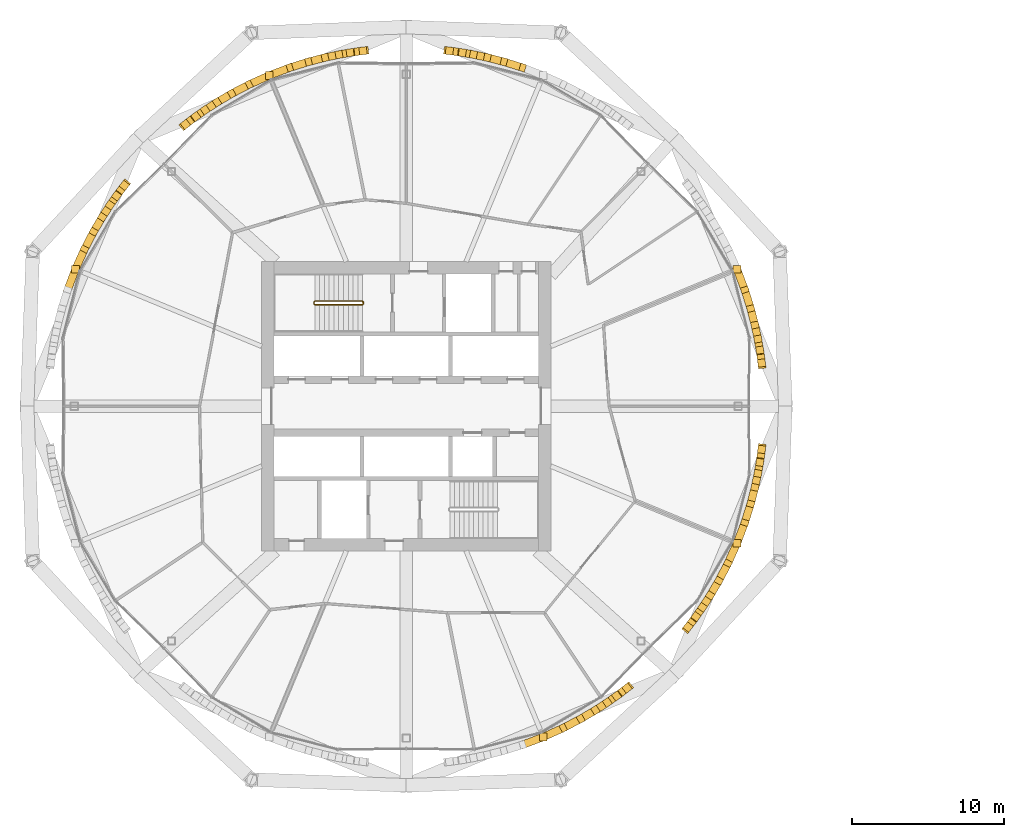
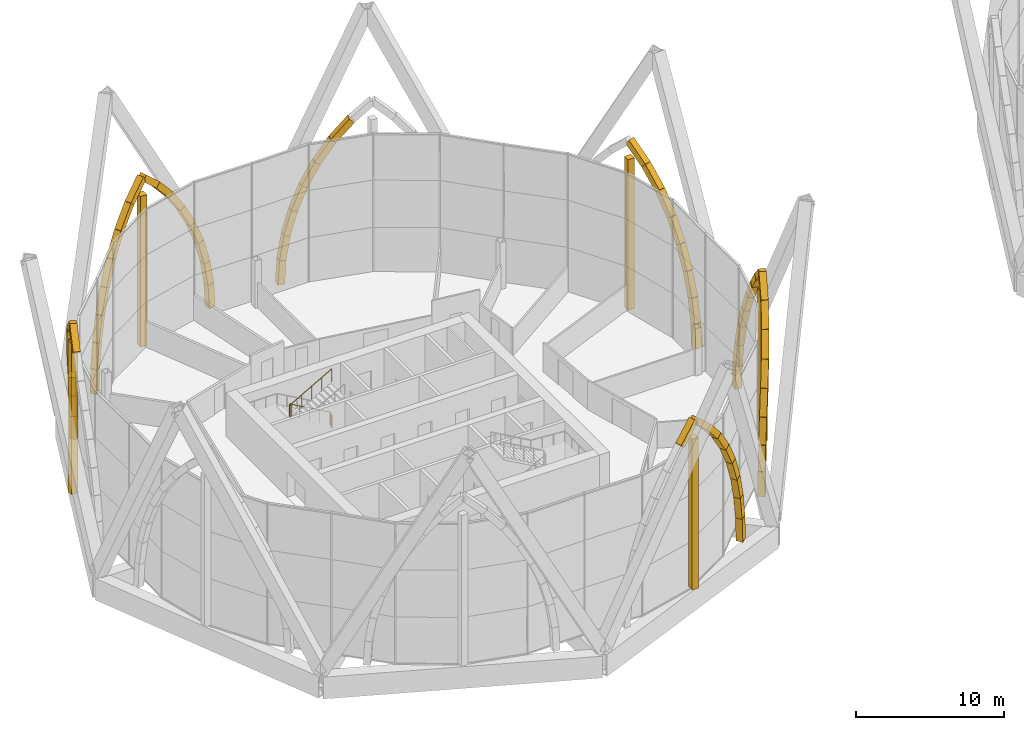
# One storey, part 34 of 37: 70 coverings, 1 railing.
"""IFC4 building model written with IfcOpenShell, lengths in metres."""

from ifc_helpers import new_model, si_unit, direction, frame, origin, origin_2d, place, context, subcontext, project, spatial, rectangle, circle, extrude, material, material_profile, profile_set, type_object, element, save


model = new_model("IFC4")

# Units and contexts
model_context = context("Model", 3, precision=1e-05, world=origin(), true_north=direction((0.0, 1.0)))
body_context = subcontext(model_context, "Body", "Model", "MODEL_VIEW")
ifc_project = project(units=[si_unit("LENGTHUNIT", "METRE"), si_unit("AREAUNIT", "SQUARE_METRE"), si_unit("VOLUMEUNIT", "CUBIC_METRE"), si_unit("PLANEANGLEUNIT", "RADIAN"), si_unit("MASSUNIT", "GRAM", prefix="KILO")], contexts=[model_context])

# Site, building, storey
site_placement = place(None, origin())
site = spatial("IfcSite", under=ifc_project, at=site_placement, CompositionType="ELEMENT")
building_placement = place(site_placement, origin())
building = spatial("IfcBuilding", under=site, at=building_placement, Name="Ogive Gate Towers", CompositionType="ELEMENT")
storey_placement = place(building_placement, frame((0.0, 0.0, 32.39990234375)))
storey = spatial("IfcBuildingStorey", under=building, at=storey_placement, Name="L06", CompositionType="ELEMENT", Elevation=32.39990234375)

# Coverings
ifc_material_1 = material(Name="Cast stone", Category="masonry")
ifc_material_profile = material_profile(ifc_material_1, rectangle(XDim=0.5, YDim=0.5, at=origin_2d()), Name="500 x 500 cast stone")
ifc_profile_set = profile_set([ifc_material_profile], Name="Cast stone")
covering_type = type_object("IfcCoveringType", Name="Portal rib 500 x 500", PredefinedType="CLADDING", material=ifc_profile_set)
covering_1_placement = place(storey_placement, frame((-12.637939453125, 2.73046875, 0.0), z_axis=(-0.006554413954, 0.054414002638, 0.998496948405), x_axis=(-0.992823353566, -0.11959008577, 0.0)))
element("IfcCovering", 1, at=covering_1_placement, inside=storey, type_object=covering_type, Name="Portal rib", PredefinedType="CLADDING", context=body_context, shape_type="SweptSolid", body=[
    extrude(rectangle(XDim=0.5, YDim=0.5, at=origin_2d()), origin(), (0.0, 0.0, 1.0), 1.97412109375),
])
covering_2_placement = place(storey_placement, frame((-12.65087890625, 2.837890625, 1.97119140625), z_axis=(-0.020781093371, 0.162537837441, 0.98648345022), x_axis=(-0.991925551192, -0.126821531659, 0.0)))
element("IfcCovering", 2, at=covering_2_placement, inside=storey, type_object=covering_type, Name="Portal rib", PredefinedType="CLADDING", context=body_context, shape_type="SweptSolid", body=[
    extrude(rectangle(XDim=0.5, YDim=0.5, at=origin_2d()), origin(), (0.0, 0.0, 1.0), 1.9736328125),
])
covering_3_placement = place(storey_placement, frame((-12.69189453125, 3.15869140625, 3.918212890625), z_axis=(-0.039572894123, 0.267982692392, 0.962610649551), x_axis=(-0.989271984598, -0.146085387666, 0.0)))
element("IfcCovering", 3, at=covering_3_placement, inside=storey, type_object=covering_type, Name="Portal rib", PredefinedType="CLADDING", context=body_context, shape_type="SweptSolid", body=[
    extrude(rectangle(XDim=0.5, YDim=0.5, at=origin_2d()), origin(), (0.0, 0.0, 1.0), 1.97412109375),
])
for number, where, z_axis, x_axis, name in (
    (4, (-12.77001953125, 3.687744140625, 5.818603515625), (-0.064444008374, 0.368975963491, 0.927202085929), (-0.98508788793, -0.172051890584, 0.0), "Portal rib"),
    (5, (-12.897216796875, 4.416015625, 7.648681640625), (-0.09820777756, 0.463703977422, 0.880530438855), (-0.978299886557, -0.2071939477, 0.0), "Portal rib"),
    (6, (-13.091064453125, 5.331298828125, 9.38671875), (-0.141737011266, 0.549385518361, 0.823459878714), (-0.968294335016, -0.249812090934, 0.0), "Portal rib"),
):
    element("IfcCovering", number, at=place(storey_placement, frame(where, z_axis=z_axis, x_axis=x_axis)), inside=storey, type_object=covering_type, Name=name, PredefinedType="CLADDING", context=body_context, shape_type="SweptSolid", body=[
        extrude(rectangle(XDim=0.5, YDim=0.5, at=origin_2d()), origin(), (0.0, 0.0, 1.0), 1.973876953125),
    ])
covering_4_placement = place(storey_placement, frame((-13.370849609375, 6.415771484375, 11.01220703125), z_axis=(-0.19568790465, 0.624296368375, 0.756280561966), x_axis=(-0.954220576265, -0.299103814474, 0.0)))
element("IfcCovering", 7, at=covering_4_placement, inside=storey, type_object=covering_type, Name="Portal rib", PredefinedType="CLADDING", context=body_context, shape_type="SweptSolid", body=[
    extrude(rectangle(XDim=0.5, YDim=0.5, at=origin_2d()), origin(), (0.0, 0.0, 1.0), 1.9736328125),
])
covering_5_placement = place(storey_placement, frame((-13.757080078125, 7.64794921875, 12.5048828125), z_axis=(-0.259496403368, 0.685599887448, 0.680157636853), x_axis=(-0.935250027607, -0.353987832928, 0.0)))
element("IfcCovering", 8, at=covering_5_placement, inside=storey, type_object=covering_type, Name="Portal rib", PredefinedType="CLADDING", context=body_context, shape_type="SweptSolid", body=[
    extrude(rectangle(XDim=0.5, YDim=0.5, at=origin_2d()), origin(), (0.0, 0.0, 1.0), 1.973876953125),
])
covering_6_placement = place(storey_placement, frame((-14.269287109375, 9.001220703125, 0.0), z_axis=(0.0, 0.0, 1.0), x_axis=(1.0, 0.0, 0.0)))
element("IfcCovering", 9, at=covering_6_placement, inside=storey, type_object=covering_type, Name="Portal mullion", PredefinedType="CLADDING", context=body_context, shape_type="SweptSolid", body=[
    extrude(rectangle(XDim=0.5, YDim=0.5, at=origin_2d()), origin(), (0.0, 0.0, 1.0), 12.447509765625),
])
covering_7_placement = place(storey_placement, frame((-33.26953125, 23.362060546875, 0.0), z_axis=(0.054414002638, -0.006554413954, 0.998496948405), x_axis=(0.11959008577, 0.992823353566, 0.0)))
element("IfcCovering", 10, at=covering_7_placement, inside=storey, type_object=covering_type, Name="Portal rib", PredefinedType="CLADDING", context=body_context, shape_type="SweptSolid", body=[
    extrude(rectangle(XDim=0.5, YDim=0.5, at=origin_2d()), origin(), (0.0, 0.0, 1.0), 1.97412109375),
])
covering_8_placement = place(storey_placement, frame((-33.162109375, 23.34912109375, 1.97119140625), z_axis=(0.162537837441, -0.020781093371, 0.98648345022), x_axis=(0.126821531659, 0.991925551192, 0.0)))
element("IfcCovering", 11, at=covering_8_placement, inside=storey, type_object=covering_type, Name="Portal rib", PredefinedType="CLADDING", context=body_context, shape_type="SweptSolid", body=[
    extrude(rectangle(XDim=0.5, YDim=0.5, at=origin_2d()), origin(), (0.0, 0.0, 1.0), 1.9736328125),
])
covering_9_placement = place(storey_placement, frame((-32.84130859375, 23.30810546875, 3.918212890625), z_axis=(0.267982692392, -0.039572894123, 0.962610649551), x_axis=(0.146085387666, 0.989271984598, 0.0)))
element("IfcCovering", 12, at=covering_9_placement, inside=storey, type_object=covering_type, Name="Portal rib", PredefinedType="CLADDING", context=body_context, shape_type="SweptSolid", body=[
    extrude(rectangle(XDim=0.5, YDim=0.5, at=origin_2d()), origin(), (0.0, 0.0, 1.0), 1.97412109375),
])
for number, where, z_axis, x_axis, name in (
    (13, (-32.312255859375, 23.22998046875, 5.818603515625), (0.368975963491, -0.064444008374, 0.927202085929), (0.172051890584, 0.98508788793, 0.0), "Portal rib"),
    (14, (-31.583984375, 23.102783203125, 7.648681640625), (0.463703977422, -0.09820777756, 0.880530438855), (0.2071939477, 0.978299886557, 0.0), "Portal rib"),
    (15, (-30.668701171875, 22.908935546875, 9.38671875), (0.549385518361, -0.141737011266, 0.823459878714), (0.249812090934, 0.968294335016, 0.0), "Portal rib"),
):
    element("IfcCovering", number, at=place(storey_placement, frame(where, z_axis=z_axis, x_axis=x_axis)), inside=storey, type_object=covering_type, Name=name, PredefinedType="CLADDING", context=body_context, shape_type="SweptSolid", body=[
        extrude(rectangle(XDim=0.5, YDim=0.5, at=origin_2d()), origin(), (0.0, 0.0, 1.0), 1.973876953125),
    ])
covering_10_placement = place(storey_placement, frame((-29.584228515625, 22.629150390625, 11.01220703125), z_axis=(0.624296368375, -0.19568790465, 0.756280561966), x_axis=(0.299103814474, 0.954220576265, 0.0)))
element("IfcCovering", 16, at=covering_10_placement, inside=storey, type_object=covering_type, Name="Portal rib", PredefinedType="CLADDING", context=body_context, shape_type="SweptSolid", body=[
    extrude(rectangle(XDim=0.5, YDim=0.5, at=origin_2d()), origin(), (0.0, 0.0, 1.0), 1.9736328125),
])
covering_11_placement = place(storey_placement, frame((-50.588623046875, 18.4501953125, 0.0), z_axis=(0.043036604722, 0.033885142799, 0.99849869692), x_axis=(-0.61861891897, 0.785691181758, 0.0)))
element("IfcCovering", 17, at=covering_11_placement, inside=storey, type_object=covering_type, Name="Portal rib", PredefinedType="CLADDING", context=body_context, shape_type="SweptSolid", body=[
    extrude(rectangle(XDim=0.5, YDim=0.5, at=origin_2d()), origin(), (0.0, 0.0, 1.0), 1.97412109375),
])
covering_12_placement = place(storey_placement, frame((-50.503662109375, 18.51708984375, 1.97119140625), z_axis=(0.129756467872, 0.100193268805, 0.98647076385), x_axis=(-0.611168297142, 0.791500671237, 0.0)))
element("IfcCovering", 18, at=covering_12_placement, inside=storey, type_object=covering_type, Name="Portal rib", PredefinedType="CLADDING", context=body_context, shape_type="SweptSolid", body=[
    extrude(rectangle(XDim=0.5, YDim=0.5, at=origin_2d()), origin(), (0.0, 0.0, 1.0), 1.9736328125),
])
covering_13_placement = place(storey_placement, frame((-50.24755859375, 18.71484375, 3.918212890625), z_axis=(0.217289233117, 0.161513795362, 0.962651901301), x_axis=(-0.596559455946, 0.802568885219, 0.0)))
element("IfcCovering", 19, at=covering_13_placement, inside=storey, type_object=covering_type, Name="Portal rib", PredefinedType="CLADDING", context=body_context, shape_type="SweptSolid", body=[
    extrude(rectangle(XDim=0.5, YDim=0.5, at=origin_2d()), origin(), (0.0, 0.0, 1.0), 1.97412109375),
])
for number, where, z_axis, x_axis, name in (
    (20, (-49.818603515625, 19.03369140625, 5.818603515625), (0.306618803595, 0.215338175498, 0.927153913574), (-0.574724506526, 0.818346956736, 0.0), "Portal rib"),
    (21, (-49.21337890625, 19.458740234375, 7.648681640625), (0.397297750571, 0.258391967915, 0.880561234843), (-0.545208499274, 0.838300478539, 0.0), "Portal rib"),
    (22, (-48.42919921875, 19.96875, 9.38671875), (0.488661436996, 0.288299116588, 0.82346440079), (-0.508134308768, 0.861277843819, 0.0), "Portal rib"),
):
    element("IfcCovering", number, at=place(storey_placement, frame(where, z_axis=z_axis, x_axis=x_axis)), inside=storey, type_object=covering_type, Name=name, PredefinedType="CLADDING", context=body_context, shape_type="SweptSolid", body=[
        extrude(rectangle(XDim=0.5, YDim=0.5, at=origin_2d()), origin(), (0.0, 0.0, 1.0), 1.973876953125),
    ])
covering_14_placement = place(storey_placement, frame((-47.464599609375, 20.537841796875, 11.01220703125), z_axis=(0.57978541975, 0.303066839852, 0.75630639137), x_axis=(-0.463250834246, 0.886227208209, 0.0)))
element("IfcCovering", 23, at=covering_14_placement, inside=storey, type_object=covering_type, Name="Portal rib", PredefinedType="CLADDING", context=body_context, shape_type="SweptSolid", body=[
    extrude(rectangle(XDim=0.5, YDim=0.5, at=origin_2d()), origin(), (0.0, 0.0, 1.0), 1.9736328125),
])
covering_15_placement = place(storey_placement, frame((-46.3203125, 21.135986328125, 12.5048828125), z_axis=(0.668283369737, 0.301302663091, 0.680157366312), x_axis=(-0.411017027046, 0.911627667131, 0.0)))
element("IfcCovering", 24, at=covering_15_placement, inside=storey, type_object=covering_type, Name="Portal rib", PredefinedType="CLADDING", context=body_context, shape_type="SweptSolid", body=[
    extrude(rectangle(XDim=0.5, YDim=0.5, at=origin_2d()), origin(), (0.0, 0.0, 1.0), 1.973876953125),
])
covering_16_placement = place(storey_placement, frame((-38.73046875, 23.362060546875, 0.0), z_axis=(-0.054414002638, -0.006554413954, 0.998496948405), x_axis=(0.11959008577, -0.992823353566, 0.0)))
element("IfcCovering", 25, at=covering_16_placement, inside=storey, type_object=covering_type, Name="Portal rib", PredefinedType="CLADDING", context=body_context, shape_type="SweptSolid", body=[
    extrude(rectangle(XDim=0.5, YDim=0.5, at=origin_2d()), origin(), (0.0, 0.0, 1.0), 1.97412109375),
])
covering_17_placement = place(storey_placement, frame((-38.837890625, 23.34912109375, 1.97119140625), z_axis=(-0.162537837441, -0.020781093371, 0.98648345022), x_axis=(0.126821531659, -0.991925551192, 0.0)))
element("IfcCovering", 26, at=covering_17_placement, inside=storey, type_object=covering_type, Name="Portal rib", PredefinedType="CLADDING", context=body_context, shape_type="SweptSolid", body=[
    extrude(rectangle(XDim=0.5, YDim=0.5, at=origin_2d()), origin(), (0.0, 0.0, 1.0), 1.9736328125),
])
covering_18_placement = place(storey_placement, frame((-39.15869140625, 23.30810546875, 3.918212890625), z_axis=(-0.267982692392, -0.039572894123, 0.962610649551), x_axis=(0.146085387666, -0.989271984598, 0.0)))
element("IfcCovering", 27, at=covering_18_placement, inside=storey, type_object=covering_type, Name="Portal rib", PredefinedType="CLADDING", context=body_context, shape_type="SweptSolid", body=[
    extrude(rectangle(XDim=0.5, YDim=0.5, at=origin_2d()), origin(), (0.0, 0.0, 1.0), 1.97412109375),
])
for number, where, z_axis, x_axis, name in (
    (28, (-39.687744140625, 23.22998046875, 5.818603515625), (-0.368975963491, -0.064444008374, 0.927202085929), (0.172051890584, -0.98508788793, 0.0), "Portal rib"),
    (29, (-40.416015625, 23.102783203125, 7.648681640625), (-0.463703977422, -0.09820777756, 0.880530438855), (0.2071939477, -0.978299886557, 0.0), "Portal rib"),
    (30, (-41.331298828125, 22.908935546875, 9.38671875), (-0.549385518361, -0.141737011266, 0.823459878714), (0.249812090934, -0.968294335016, 0.0), "Portal rib"),
):
    element("IfcCovering", number, at=place(storey_placement, frame(where, z_axis=z_axis, x_axis=x_axis)), inside=storey, type_object=covering_type, Name=name, PredefinedType="CLADDING", context=body_context, shape_type="SweptSolid", body=[
        extrude(rectangle(XDim=0.5, YDim=0.5, at=origin_2d()), origin(), (0.0, 0.0, 1.0), 1.973876953125),
    ])
covering_19_placement = place(storey_placement, frame((-42.415771484375, 22.629150390625, 11.01220703125), z_axis=(-0.624296368375, -0.19568790465, 0.756280561966), x_axis=(0.299103814474, -0.954220576265, 0.0)))
element("IfcCovering", 31, at=covering_19_placement, inside=storey, type_object=covering_type, Name="Portal rib", PredefinedType="CLADDING", context=body_context, shape_type="SweptSolid", body=[
    extrude(rectangle(XDim=0.5, YDim=0.5, at=origin_2d()), origin(), (0.0, 0.0, 1.0), 1.9736328125),
])
covering_20_placement = place(storey_placement, frame((-43.64794921875, 22.242919921875, 12.5048828125), z_axis=(-0.685599887448, -0.259496403368, 0.680157636853), x_axis=(0.353987832928, -0.935250027607, 0.0)))
element("IfcCovering", 32, at=covering_20_placement, inside=storey, type_object=covering_type, Name="Portal rib", PredefinedType="CLADDING", context=body_context, shape_type="SweptSolid", body=[
    extrude(rectangle(XDim=0.5, YDim=0.5, at=origin_2d()), origin(), (0.0, 0.0, 1.0), 1.973876953125),
])
covering_21_placement = place(storey_placement, frame((-45.001220703125, 21.730712890625, 0.0), z_axis=(0.0, 0.0, 1.0), x_axis=(1.0, 0.0, 0.0)))
element("IfcCovering", 33, at=covering_21_placement, inside=storey, type_object=covering_type, Name="Portal mullion", PredefinedType="CLADDING", context=body_context, shape_type="SweptSolid", body=[
    extrude(rectangle(XDim=0.5, YDim=0.5, at=origin_2d()), origin(), (0.0, 0.0, 1.0), 12.447509765625),
])
covering_22_placement = place(storey_placement, frame((-58.242919921875, 7.64794921875, 12.5048828125), z_axis=(0.259496403368, 0.685599887448, 0.680157636853), x_axis=(-0.935250027607, 0.353987832928, 0.0)))
element("IfcCovering", 34, at=covering_22_placement, inside=storey, type_object=covering_type, Name="Portal rib", PredefinedType="CLADDING", context=body_context, shape_type="SweptSolid", body=[
    extrude(rectangle(XDim=0.5, YDim=0.5, at=origin_2d()), origin(), (0.0, 0.0, 1.0), 1.973876953125),
])
covering_23_placement = place(storey_placement, frame((-54.4501953125, 14.588623046875, 0.0), z_axis=(-0.033885142799, -0.043036604722, 0.99849869692), x_axis=(0.785691181758, -0.61861891897, 0.0)))
element("IfcCovering", 35, at=covering_23_placement, inside=storey, type_object=covering_type, Name="Portal rib", PredefinedType="CLADDING", context=body_context, shape_type="SweptSolid", body=[
    extrude(rectangle(XDim=0.5, YDim=0.5, at=origin_2d()), origin(), (0.0, 0.0, 1.0), 1.97412109375),
])
covering_24_placement = place(storey_placement, frame((-54.51708984375, 14.503662109375, 1.97119140625), z_axis=(-0.100193268805, -0.129756467872, 0.98647076385), x_axis=(0.791500671237, -0.611168297142, 0.0)))
element("IfcCovering", 36, at=covering_24_placement, inside=storey, type_object=covering_type, Name="Portal rib", PredefinedType="CLADDING", context=body_context, shape_type="SweptSolid", body=[
    extrude(rectangle(XDim=0.5, YDim=0.5, at=origin_2d()), origin(), (0.0, 0.0, 1.0), 1.9736328125),
])
covering_25_placement = place(storey_placement, frame((-54.71484375, 14.24755859375, 3.918212890625), z_axis=(-0.161513795362, -0.217289233117, 0.962651901301), x_axis=(0.802568885219, -0.596559455946, 0.0)))
element("IfcCovering", 37, at=covering_25_placement, inside=storey, type_object=covering_type, Name="Portal rib", PredefinedType="CLADDING", context=body_context, shape_type="SweptSolid", body=[
    extrude(rectangle(XDim=0.5, YDim=0.5, at=origin_2d()), origin(), (0.0, 0.0, 1.0), 1.97412109375),
])
for number, where, z_axis, x_axis, name in (
    (38, (-55.03369140625, 13.818603515625, 5.818603515625), (-0.215338175498, -0.306618803595, 0.927153913574), (0.818346956736, -0.574724506526, 0.0), "Portal rib"),
    (39, (-55.458740234375, 13.21337890625, 7.648681640625), (-0.258391967915, -0.397297750571, 0.880561234843), (0.838300478539, -0.545208499274, 0.0), "Portal rib"),
    (40, (-55.96875, 12.42919921875, 9.38671875), (-0.288299116588, -0.488661436996, 0.82346440079), (0.861277843819, -0.508134308768, 0.0), "Portal rib"),
):
    element("IfcCovering", number, at=place(storey_placement, frame(where, z_axis=z_axis, x_axis=x_axis)), inside=storey, type_object=covering_type, Name=name, PredefinedType="CLADDING", context=body_context, shape_type="SweptSolid", body=[
        extrude(rectangle(XDim=0.5, YDim=0.5, at=origin_2d()), origin(), (0.0, 0.0, 1.0), 1.973876953125),
    ])
covering_26_placement = place(storey_placement, frame((-56.537841796875, 11.464599609375, 11.01220703125), z_axis=(-0.303066839852, -0.57978541975, 0.75630639137), x_axis=(0.886227208209, -0.463250834246, 0.0)))
element("IfcCovering", 41, at=covering_26_placement, inside=storey, type_object=covering_type, Name="Portal rib", PredefinedType="CLADDING", context=body_context, shape_type="SweptSolid", body=[
    extrude(rectangle(XDim=0.5, YDim=0.5, at=origin_2d()), origin(), (0.0, 0.0, 1.0), 1.9736328125),
])
covering_27_placement = place(storey_placement, frame((-57.135986328125, 10.3203125, 12.5048828125), z_axis=(-0.301302663091, -0.668283369737, 0.680157366312), x_axis=(0.911627667131, -0.411017027046, 0.0)))
element("IfcCovering", 42, at=covering_27_placement, inside=storey, type_object=covering_type, Name="Portal rib", PredefinedType="CLADDING", context=body_context, shape_type="SweptSolid", body=[
    extrude(rectangle(XDim=0.5, YDim=0.5, at=origin_2d()), origin(), (0.0, 0.0, 1.0), 1.973876953125),
])
covering_28_placement = place(storey_placement, frame((-57.730712890625, 9.001220703125, 0.0), z_axis=(0.0, 0.0, 1.0), x_axis=(1.0, 0.0, 0.0)))
element("IfcCovering", 43, at=covering_28_placement, inside=storey, type_object=covering_type, Name="Portal mullion", PredefinedType="CLADDING", context=body_context, shape_type="SweptSolid", body=[
    extrude(rectangle(XDim=0.5, YDim=0.5, at=origin_2d()), origin(), (0.0, 0.0, 1.0), 12.447509765625),
])
covering_29_placement = place(storey_placement, frame((-21.411376953125, -18.4501953125, 0.0), z_axis=(-0.043036604722, -0.033885142799, 0.99849869692), x_axis=(0.61861891897, -0.785691181758, 0.0)))
element("IfcCovering", 44, at=covering_29_placement, inside=storey, type_object=covering_type, Name="Portal rib", PredefinedType="CLADDING", context=body_context, shape_type="SweptSolid", body=[
    extrude(rectangle(XDim=0.5, YDim=0.5, at=origin_2d()), origin(), (0.0, 0.0, 1.0), 1.97412109375),
])
covering_30_placement = place(storey_placement, frame((-21.496337890625, -18.51708984375, 1.97119140625), z_axis=(-0.129756467872, -0.100193268805, 0.98647076385), x_axis=(0.611168297142, -0.791500671237, 0.0)))
element("IfcCovering", 45, at=covering_30_placement, inside=storey, type_object=covering_type, Name="Portal rib", PredefinedType="CLADDING", context=body_context, shape_type="SweptSolid", body=[
    extrude(rectangle(XDim=0.5, YDim=0.5, at=origin_2d()), origin(), (0.0, 0.0, 1.0), 1.9736328125),
])
covering_31_placement = place(storey_placement, frame((-21.75244140625, -18.71484375, 3.918212890625), z_axis=(-0.217289233117, -0.161513795362, 0.962651901301), x_axis=(0.596559455946, -0.802568885219, 0.0)))
element("IfcCovering", 46, at=covering_31_placement, inside=storey, type_object=covering_type, Name="Portal rib", PredefinedType="CLADDING", context=body_context, shape_type="SweptSolid", body=[
    extrude(rectangle(XDim=0.5, YDim=0.5, at=origin_2d()), origin(), (0.0, 0.0, 1.0), 1.97412109375),
])
for number, where, z_axis, x_axis, name in (
    (47, (-22.181396484375, -19.03369140625, 5.818603515625), (-0.306618803595, -0.215338175498, 0.927153913574), (0.574724506526, -0.818346956736, 0.0), "Portal rib"),
    (48, (-22.78662109375, -19.458740234375, 7.648681640625), (-0.397297750571, -0.258391967915, 0.880561234843), (0.545208499274, -0.838300478539, 0.0), "Portal rib"),
    (49, (-23.57080078125, -19.96875, 9.38671875), (-0.488661436996, -0.288299116588, 0.82346440079), (0.508134308768, -0.861277843819, 0.0), "Portal rib"),
):
    element("IfcCovering", number, at=place(storey_placement, frame(where, z_axis=z_axis, x_axis=x_axis)), inside=storey, type_object=covering_type, Name=name, PredefinedType="CLADDING", context=body_context, shape_type="SweptSolid", body=[
        extrude(rectangle(XDim=0.5, YDim=0.5, at=origin_2d()), origin(), (0.0, 0.0, 1.0), 1.973876953125),
    ])
covering_32_placement = place(storey_placement, frame((-24.535400390625, -20.537841796875, 11.01220703125), z_axis=(-0.57978541975, -0.303066839852, 0.75630639137), x_axis=(0.463250834246, -0.886227208209, 0.0)))
element("IfcCovering", 50, at=covering_32_placement, inside=storey, type_object=covering_type, Name="Portal rib", PredefinedType="CLADDING", context=body_context, shape_type="SweptSolid", body=[
    extrude(rectangle(XDim=0.5, YDim=0.5, at=origin_2d()), origin(), (0.0, 0.0, 1.0), 1.9736328125),
])
for number, where, z_axis, x_axis, name in (
    (51, (-25.6796875, -21.135986328125, 12.5048828125), (-0.668283369737, -0.301302663091, 0.680157366312), (0.411017027046, -0.911627667131, 0.0), "Portal rib"),
    (52, (-28.35205078125, -22.242919921875, 12.5048828125), (0.685599887448, 0.259496403368, 0.680157636853), (-0.353987832928, 0.935250027607, 0.0), "Portal rib"),
):
    element("IfcCovering", number, at=place(storey_placement, frame(where, z_axis=z_axis, x_axis=x_axis)), inside=storey, type_object=covering_type, Name=name, PredefinedType="CLADDING", context=body_context, shape_type="SweptSolid", body=[
        extrude(rectangle(XDim=0.5, YDim=0.5, at=origin_2d()), origin(), (0.0, 0.0, 1.0), 1.973876953125),
    ])
covering_33_placement = place(storey_placement, frame((-26.998779296875, -21.730712890625, 0.0), z_axis=(0.0, 0.0, 1.0), x_axis=(1.0, 0.0, 0.0)))
element("IfcCovering", 53, at=covering_33_placement, inside=storey, type_object=covering_type, Name="Portal mullion", PredefinedType="CLADDING", context=body_context, shape_type="SweptSolid", body=[
    extrude(rectangle(XDim=0.5, YDim=0.5, at=origin_2d()), origin(), (0.0, 0.0, 1.0), 12.447509765625),
])
covering_34_placement = place(storey_placement, frame((-12.637939453125, -2.73046875, 0.0), z_axis=(-0.006554413954, -0.054414002638, 0.998496948405), x_axis=(0.992823353566, -0.11959008577, 0.0)))
element("IfcCovering", 54, at=covering_34_placement, inside=storey, type_object=covering_type, Name="Portal rib", PredefinedType="CLADDING", context=body_context, shape_type="SweptSolid", body=[
    extrude(rectangle(XDim=0.5, YDim=0.5, at=origin_2d()), origin(), (0.0, 0.0, 1.0), 1.97412109375),
])
covering_35_placement = place(storey_placement, frame((-12.65087890625, -2.837890625, 1.97119140625), z_axis=(-0.020781093371, -0.162537837441, 0.98648345022), x_axis=(0.991925551192, -0.126821531659, 0.0)))
element("IfcCovering", 55, at=covering_35_placement, inside=storey, type_object=covering_type, Name="Portal rib", PredefinedType="CLADDING", context=body_context, shape_type="SweptSolid", body=[
    extrude(rectangle(XDim=0.5, YDim=0.5, at=origin_2d()), origin(), (0.0, 0.0, 1.0), 1.9736328125),
])
covering_36_placement = place(storey_placement, frame((-12.69189453125, -3.15869140625, 3.918212890625), z_axis=(-0.039572894123, -0.267982692392, 0.962610649551), x_axis=(0.989271984598, -0.146085387666, 0.0)))
element("IfcCovering", 56, at=covering_36_placement, inside=storey, type_object=covering_type, Name="Portal rib", PredefinedType="CLADDING", context=body_context, shape_type="SweptSolid", body=[
    extrude(rectangle(XDim=0.5, YDim=0.5, at=origin_2d()), origin(), (0.0, 0.0, 1.0), 1.97412109375),
])
for number, where, z_axis, x_axis, name in (
    (57, (-12.77001953125, -3.687744140625, 5.818603515625), (-0.064444008374, -0.368975963491, 0.927202085929), (0.98508788793, -0.172051890584, 0.0), "Portal rib"),
    (58, (-12.897216796875, -4.416015625, 7.648681640625), (-0.09820777756, -0.463703977422, 0.880530438855), (0.978299886557, -0.2071939477, 0.0), "Portal rib"),
    (59, (-13.091064453125, -5.331298828125, 9.38671875), (-0.141737011266, -0.549385518361, 0.823459878714), (0.968294335016, -0.249812090934, 0.0), "Portal rib"),
):
    element("IfcCovering", number, at=place(storey_placement, frame(where, z_axis=z_axis, x_axis=x_axis)), inside=storey, type_object=covering_type, Name=name, PredefinedType="CLADDING", context=body_context, shape_type="SweptSolid", body=[
        extrude(rectangle(XDim=0.5, YDim=0.5, at=origin_2d()), origin(), (0.0, 0.0, 1.0), 1.973876953125),
    ])
covering_37_placement = place(storey_placement, frame((-13.370849609375, -6.415771484375, 11.01220703125), z_axis=(-0.19568790465, -0.624296368375, 0.756280561966), x_axis=(0.954220576265, -0.299103814474, 0.0)))
element("IfcCovering", 60, at=covering_37_placement, inside=storey, type_object=covering_type, Name="Portal rib", PredefinedType="CLADDING", context=body_context, shape_type="SweptSolid", body=[
    extrude(rectangle(XDim=0.5, YDim=0.5, at=origin_2d()), origin(), (0.0, 0.0, 1.0), 1.9736328125),
])
covering_38_placement = place(storey_placement, frame((-13.757080078125, -7.64794921875, 12.5048828125), z_axis=(-0.259496403368, -0.685599887448, 0.680157636853), x_axis=(0.935250027607, -0.353987832928, 0.0)))
element("IfcCovering", 61, at=covering_38_placement, inside=storey, type_object=covering_type, Name="Portal rib", PredefinedType="CLADDING", context=body_context, shape_type="SweptSolid", body=[
    extrude(rectangle(XDim=0.5, YDim=0.5, at=origin_2d()), origin(), (0.0, 0.0, 1.0), 1.973876953125),
])
covering_39_placement = place(storey_placement, frame((-17.5498046875, -14.588623046875, 0.0), z_axis=(0.033885142799, 0.043036604722, 0.99849869692), x_axis=(-0.785691181758, 0.61861891897, 0.0)))
element("IfcCovering", 62, at=covering_39_placement, inside=storey, type_object=covering_type, Name="Portal rib", PredefinedType="CLADDING", context=body_context, shape_type="SweptSolid", body=[
    extrude(rectangle(XDim=0.5, YDim=0.5, at=origin_2d()), origin(), (0.0, 0.0, 1.0), 1.97412109375),
])
covering_40_placement = place(storey_placement, frame((-17.48291015625, -14.503662109375, 1.97119140625), z_axis=(0.100193268805, 0.129756467872, 0.98647076385), x_axis=(-0.791500671237, 0.611168297142, 0.0)))
element("IfcCovering", 63, at=covering_40_placement, inside=storey, type_object=covering_type, Name="Portal rib", PredefinedType="CLADDING", context=body_context, shape_type="SweptSolid", body=[
    extrude(rectangle(XDim=0.5, YDim=0.5, at=origin_2d()), origin(), (0.0, 0.0, 1.0), 1.9736328125),
])
covering_41_placement = place(storey_placement, frame((-17.28515625, -14.24755859375, 3.918212890625), z_axis=(0.161513795362, 0.217289233117, 0.962651901301), x_axis=(-0.802568885219, 0.596559455946, 0.0)))
element("IfcCovering", 64, at=covering_41_placement, inside=storey, type_object=covering_type, Name="Portal rib", PredefinedType="CLADDING", context=body_context, shape_type="SweptSolid", body=[
    extrude(rectangle(XDim=0.5, YDim=0.5, at=origin_2d()), origin(), (0.0, 0.0, 1.0), 1.97412109375),
])
for number, where, z_axis, x_axis, name in (
    (65, (-16.96630859375, -13.818603515625, 5.818603515625), (0.215338175498, 0.306618803595, 0.927153913574), (-0.818346956736, 0.574724506526, 0.0), "Portal rib"),
    (66, (-16.541259765625, -13.21337890625, 7.648681640625), (0.258391967915, 0.397297750571, 0.880561234843), (-0.838300478539, 0.545208499274, 0.0), "Portal rib"),
    (67, (-16.03125, -12.42919921875, 9.38671875), (0.288299116588, 0.488661436996, 0.82346440079), (-0.861277843819, 0.508134308768, 0.0), "Portal rib"),
):
    element("IfcCovering", number, at=place(storey_placement, frame(where, z_axis=z_axis, x_axis=x_axis)), inside=storey, type_object=covering_type, Name=name, PredefinedType="CLADDING", context=body_context, shape_type="SweptSolid", body=[
        extrude(rectangle(XDim=0.5, YDim=0.5, at=origin_2d()), origin(), (0.0, 0.0, 1.0), 1.973876953125),
    ])
covering_42_placement = place(storey_placement, frame((-15.462158203125, -11.464599609375, 11.01220703125), z_axis=(0.303066839852, 0.57978541975, 0.75630639137), x_axis=(-0.886227208209, 0.463250834246, 0.0)))
element("IfcCovering", 68, at=covering_42_placement, inside=storey, type_object=covering_type, Name="Portal rib", PredefinedType="CLADDING", context=body_context, shape_type="SweptSolid", body=[
    extrude(rectangle(XDim=0.5, YDim=0.5, at=origin_2d()), origin(), (0.0, 0.0, 1.0), 1.9736328125),
])
covering_43_placement = place(storey_placement, frame((-14.864013671875, -10.3203125, 12.5048828125), z_axis=(0.301302663091, 0.668283369737, 0.680157366312), x_axis=(-0.911627667131, 0.411017027046, 0.0)))
element("IfcCovering", 69, at=covering_43_placement, inside=storey, type_object=covering_type, Name="Portal rib", PredefinedType="CLADDING", context=body_context, shape_type="SweptSolid", body=[
    extrude(rectangle(XDim=0.5, YDim=0.5, at=origin_2d()), origin(), (0.0, 0.0, 1.0), 1.973876953125),
])
covering_44_placement = place(storey_placement, frame((-14.269287109375, -9.001220703125, 0.0), z_axis=(0.0, 0.0, 1.0), x_axis=(1.0, 0.0, 0.0)))
element("IfcCovering", 70, at=covering_44_placement, inside=storey, type_object=covering_type, Name="Portal mullion", PredefinedType="CLADDING", context=body_context, shape_type="SweptSolid", body=[
    extrude(rectangle(XDim=0.5, YDim=0.5, at=origin_2d()), origin(), (0.0, 0.0, 1.0), 12.447509765625),
])

# Railing
ifc_material_2 = material(Name="Stainless steel", Category="steel")
railing_type = type_object("IfcRailingType", Name="Stair guard 1100", PredefinedType="GUARDRAIL", material=ifc_material_2)
railing_placement = place(storey_placement, frame((-38.81494140625, 6.860107421875, 0.0)))
element("IfcRailing", 71, at=railing_placement, inside=storey, type_object=railing_type, Name="L06 ST1 stair guard 1", PredefinedType="GUARDRAIL", context=body_context, shape_type="SweptSolid", body=[
    extrude(circle(Radius=0.02392578125, at=origin_2d()), frame((0.0, 0.0, 1.076171875), z_axis=(0.0, -1.0, 0.0), x_axis=(1.0, 0.0, 0.0)), (0.0, 0.0, 1.0), 0.14501953125),
    extrude(circle(Radius=0.02392578125, at=origin_2d()), frame((0.0, -0.14501953125, 1.076171875), z_axis=(-0.186567429962, 0.726247849316, 0.661631812598), x_axis=(-0.968551454522, -0.24881334358, 0.0)), (0.0, 0.0, 1.0), 0.268310546875),
    extrude(circle(Radius=0.02392578125, at=origin_2d()), frame((-0.050048828125, 0.0498046875, 1.25341796875), z_axis=(-0.870572935281, 0.0, 0.492039393094), x_axis=(0.0, -1.0, 0.0)), (0.0, 0.0, 1.0), 3.602783203125),
    extrude(circle(Radius=0.02392578125, at=origin_2d()), frame((-3.1865234375, 0.0498046875, 3.0263671875), z_axis=(-0.707106781187, -0.707106781187, 0.0), x_axis=(0.707106781187, -0.707106781187, 0.0)), (0.0, 0.0, 1.0), 0.0703125),
    extrude(circle(Radius=0.02392578125, at=origin_2d()), frame((-3.236328125, 0.0, 3.0263671875), z_axis=(0.0, -1.0, 0.0), x_axis=(1.0, 0.0, 0.0)), (0.0, 0.0, 1.0), 0.14501953125),
    extrude(circle(Radius=0.02392578125, at=origin_2d()), frame((-3.236328125, -0.14501953125, 3.0263671875), z_axis=(0.261041864531, -0.262321481514, 0.929001929653), x_axis=(0.708833529934, 0.705375805398, 0.0)), (0.0, 0.0, 1.0), 0.190673828125),
    extrude(circle(Radius=0.02392578125, at=origin_2d()), frame((-3.1865234375, -0.195068359375, 3.20361328125), z_axis=(0.870572935281, 0.0, 0.492039393094), x_axis=(0.0, 1.0, 0.0)), (0.0, 0.0, 1.0), 3.602783203125),
    extrude(circle(Radius=0.02099609375, at=origin_2d()), origin(), (0.0, 0.0, 1.0), 1.052001953125),
    extrude(circle(Radius=0.02099609375, at=origin_2d()), frame((0.0, -0.14501953125, 0.0)), (0.0, 0.0, 1.0), 1.052001953125),
    extrude(circle(Radius=0.02099609375, at=origin_2d()), frame((-0.050048828125, 0.0498046875, 0.177490234375)), (0.0, 0.0, 1.0), 1.052001953125),
    extrude(circle(Radius=0.02099609375, at=origin_2d()), frame((-0.834228515625, 0.0498046875, 0.62060546875)), (0.0, 0.0, 1.0), 1.052001953125),
    extrude(circle(Radius=0.02099609375, at=origin_2d()), frame((-1.6181640625, 0.0498046875, 1.06396484375)), (0.0, 0.0, 1.0), 1.052001953125),
    extrude(circle(Radius=0.02099609375, at=origin_2d()), frame((-2.40234375, 0.0498046875, 1.507080078125)), (0.0, 0.0, 1.0), 1.052001953125),
    extrude(circle(Radius=0.02099609375, at=origin_2d()), frame((-3.1865234375, 0.0498046875, 1.9501953125)), (0.0, 0.0, 1.0), 1.052001953125),
    extrude(circle(Radius=0.02099609375, at=origin_2d()), frame((-3.236328125, 0.0, 1.9501953125)), (0.0, 0.0, 1.0), 1.052001953125),
    extrude(circle(Radius=0.02099609375, at=origin_2d()), frame((-3.236328125, -0.14501953125, 1.9501953125)), (0.0, 0.0, 1.0), 1.052001953125),
    extrude(circle(Radius=0.02099609375, at=origin_2d()), frame((-3.1865234375, -0.195068359375, 2.12744140625)), (0.0, 0.0, 1.0), 1.052001953125),
    extrude(circle(Radius=0.02099609375, at=origin_2d()), frame((-2.40234375, -0.195068359375, 2.570556640625)), (0.0, 0.0, 1.0), 1.052001953125),
    extrude(circle(Radius=0.02099609375, at=origin_2d()), frame((-1.6181640625, -0.195068359375, 3.013671875)), (0.0, 0.0, 1.0), 1.052001953125),
    extrude(circle(Radius=0.02099609375, at=origin_2d()), frame((-0.834228515625, -0.195068359375, 3.45703125)), (0.0, 0.0, 1.0), 1.052001953125),
    extrude(circle(Radius=0.02099609375, at=origin_2d()), frame((-0.050048828125, -0.195068359375, 3.900146484375)), (0.0, 0.0, 1.0), 1.052001953125),
])

save(model, "model.ifc")
